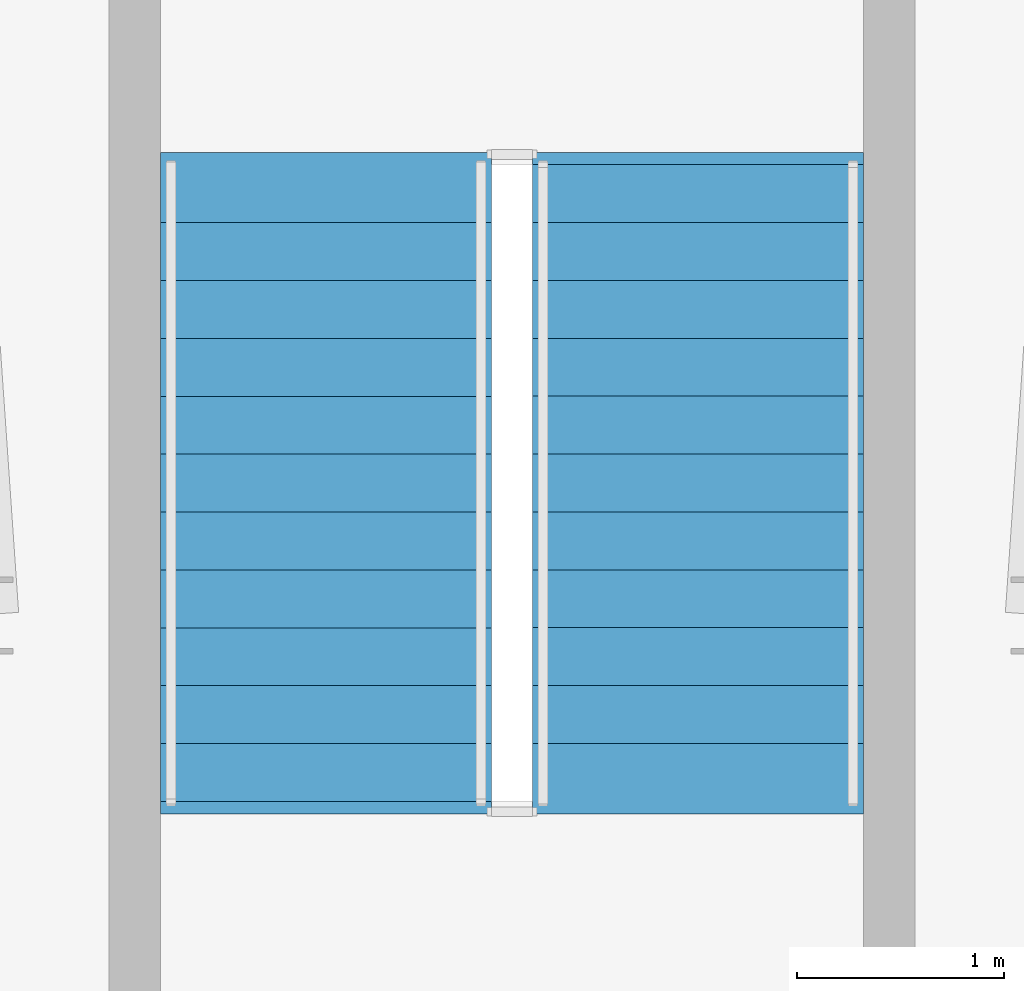
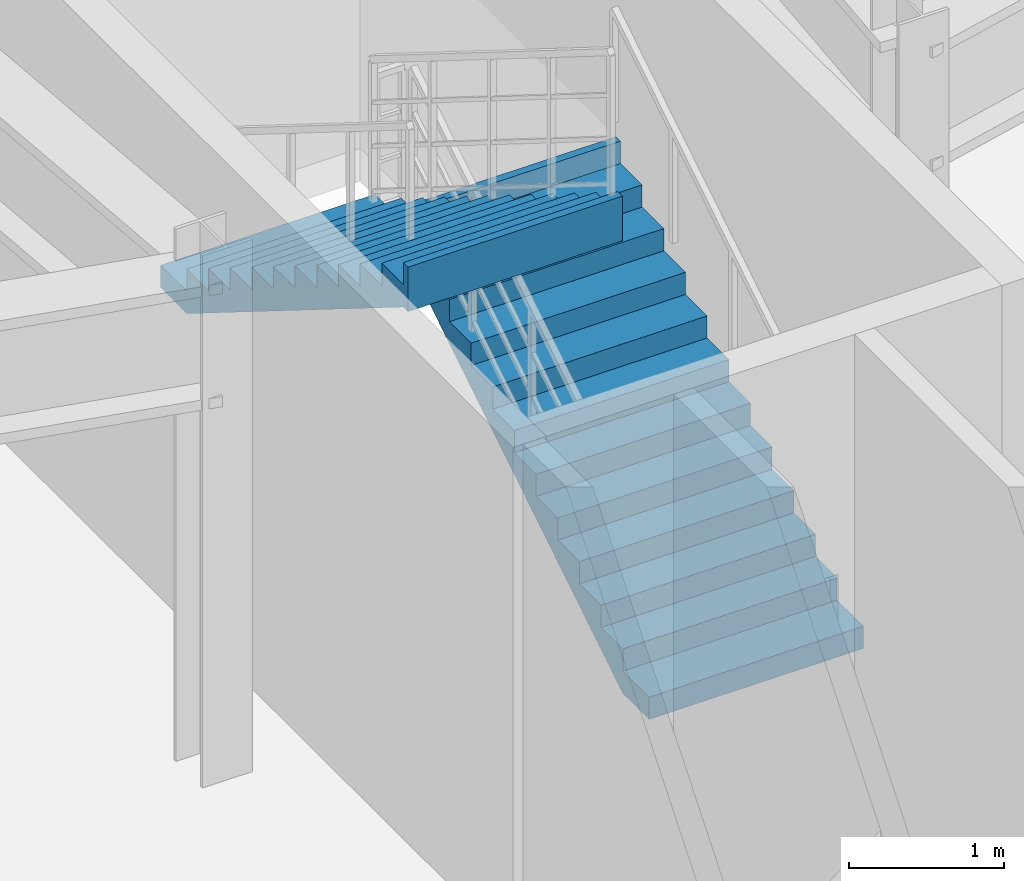
# One storey, part 12 of 13: 2 stair flights, 1 element without a shape of its own.
"""IFC4 building model written with IfcOpenShell, lengths in metres."""

from ifc_helpers import new_model, si_unit, direction, frame, origin, place, context, subcontext, project, spatial, polyline, outline, extrude, material, type_object, element, aggregate, save


model = new_model("IFC4")

# Units and contexts
model_context = context("Model", 3, precision=1e-05, world=origin(), true_north=direction((0.0, 1.0)))
body_context = subcontext(model_context, "Body", "Model", "MODEL_VIEW")
ifc_project = project(units=[si_unit("LENGTHUNIT", "METRE"), si_unit("AREAUNIT", "SQUARE_METRE"), si_unit("VOLUMEUNIT", "CUBIC_METRE"), si_unit("PLANEANGLEUNIT", "RADIAN"), si_unit("MASSUNIT", "GRAM", prefix="KILO")], contexts=[model_context])

# Site, building, storey
site_placement = place(None, origin())
site = spatial("IfcSite", under=ifc_project, at=site_placement, CompositionType="ELEMENT")
building_placement = place(site_placement, origin())
building = spatial("IfcBuilding", under=site, at=building_placement, Name="Varakhsha Concourse Tower", CompositionType="ELEMENT")
storey_placement = place(building_placement, frame((0.0, 0.0, 200.699951171875)))
storey = spatial("IfcBuildingStorey", under=building, at=storey_placement, Name="L57", CompositionType="ELEMENT", Elevation=200.699951171875)

# Stair, stair flights
ifc_material = material(Name="Concrete fc 45 MPa", Category="concrete")
stair_type = type_object("IfcStairType", Name="ST-DOGLEG-1600", PredefinedType="HALF_TURN_STAIR", material=ifc_material)
stair_placement = place(storey_placement, origin())
stair = element("IfcStair", 1, at=stair_placement, inside=storey, type_object=stair_type, Name="L57 Protected Exit Stair ST5", PredefinedType="HALF_TURN_STAIR")
stair_flight_type = type_object("IfcStairFlightType", Name="STF-1600-R1750", PredefinedType="STRAIGHT", material=ifc_material)
stair_flight_1_placement = place(storey_placement, frame((40.89990234375, 40.300048828125, 0.0), z_axis=(0.0, 0.0, 1.0), x_axis=(0.0, 1.0, 0.0)))
stair_flight_1 = element("IfcStairFlight", 2, at=stair_flight_1_placement, type_object=stair_flight_type, Name="ST5 flight 1", NumberOfRisers=12, NumberOfTreads=11, PredefinedType="STRAIGHT", RiserHeight=0.175, TreadLength=0.28, context=body_context, shape_type="SweptSolid", body=[
    extrude(outline(polyline([(-0.06005859375, 0.0), (-0.06005859375, 0.175048828125), (0.0, 0.175048828125), (0.280029296875, 0.175048828125), (0.280029296875, 0.35009765625), (0.56005859375, 0.35009765625), (0.56005859375, 0.52490234375), (0.840087890625, 0.52490234375), (0.840087890625, 0.699951171875), (1.1201171875, 0.699951171875), (1.1201171875, 0.875), (1.39990234375, 0.875), (1.39990234375, 1.050048828125), (1.679931640625, 1.050048828125), (1.679931640625, 1.22509765625), (1.9599609375, 1.22509765625), (1.9599609375, 1.39990234375), (2.239990234375, 1.39990234375), (2.239990234375, 1.574951171875), (2.52001953125, 1.574951171875), (2.52001953125, 1.75), (2.800048828125, 1.75), (2.800048828125, 1.925048828125), (3.080078125, 1.925048828125), (3.080078125, 2.10009765625), (3.139892578125, 2.10009765625), (3.139892578125, 1.748291015625), (3.080078125, 1.748291015625), (0.28271484375, 0.0), (-0.06005859375, 0.0)])), frame((0.0, 0.800048828125, 0.0), z_axis=(0.0, -1.0, 0.0), x_axis=(1.0, 0.0, 0.0)), (0.0, 0.0, 1.0), 1.60009765625),
])
stair_flight_2_placement = place(storey_placement, frame((39.10009765625, 43.3798828125, 2.10009765625), z_axis=(0.0, 0.0, 1.0), x_axis=(0.0, -1.0, 0.0)))
stair_flight_2 = element("IfcStairFlight", 3, at=stair_flight_2_placement, type_object=stair_flight_type, Name="ST5 flight 2", NumberOfRisers=12, NumberOfTreads=11, PredefinedType="STRAIGHT", RiserHeight=0.175, TreadLength=0.28, context=body_context, shape_type="SweptSolid", body=[
    extrude(outline(polyline([(-0.06005859375, 0.0), (-0.06005859375, 0.175048828125), (0.0, 0.175048828125), (0.280029296875, 0.175048828125), (0.280029296875, 0.35009765625), (0.56005859375, 0.35009765625), (0.56005859375, 0.52490234375), (0.840087890625, 0.52490234375), (0.840087890625, 0.699951171875), (1.1201171875, 0.699951171875), (1.1201171875, 0.875), (1.39990234375, 0.875), (1.39990234375, 1.050048828125), (1.679931640625, 1.050048828125), (1.679931640625, 1.22509765625), (1.9599609375, 1.22509765625), (1.9599609375, 1.39990234375), (2.239990234375, 1.39990234375), (2.239990234375, 1.574951171875), (2.52001953125, 1.574951171875), (2.52001953125, 1.75), (2.800048828125, 1.75), (2.800048828125, 1.925048828125), (3.080078125, 1.925048828125), (3.080078125, 2.10009765625), (3.139892578125, 2.10009765625), (3.139892578125, 1.748291015625), (3.080078125, 1.748291015625), (0.28271484375, 0.0), (-0.06005859375, 0.0)])), frame((0.0, 0.800048828125, 0.0), z_axis=(0.0, -1.0, 0.0), x_axis=(1.0, 0.0, 0.0)), (0.0, 0.0, 1.0), 1.60009765625),
])
aggregate(stair, [stair_flight_1, stair_flight_2])

save(model, "model.ifc")
